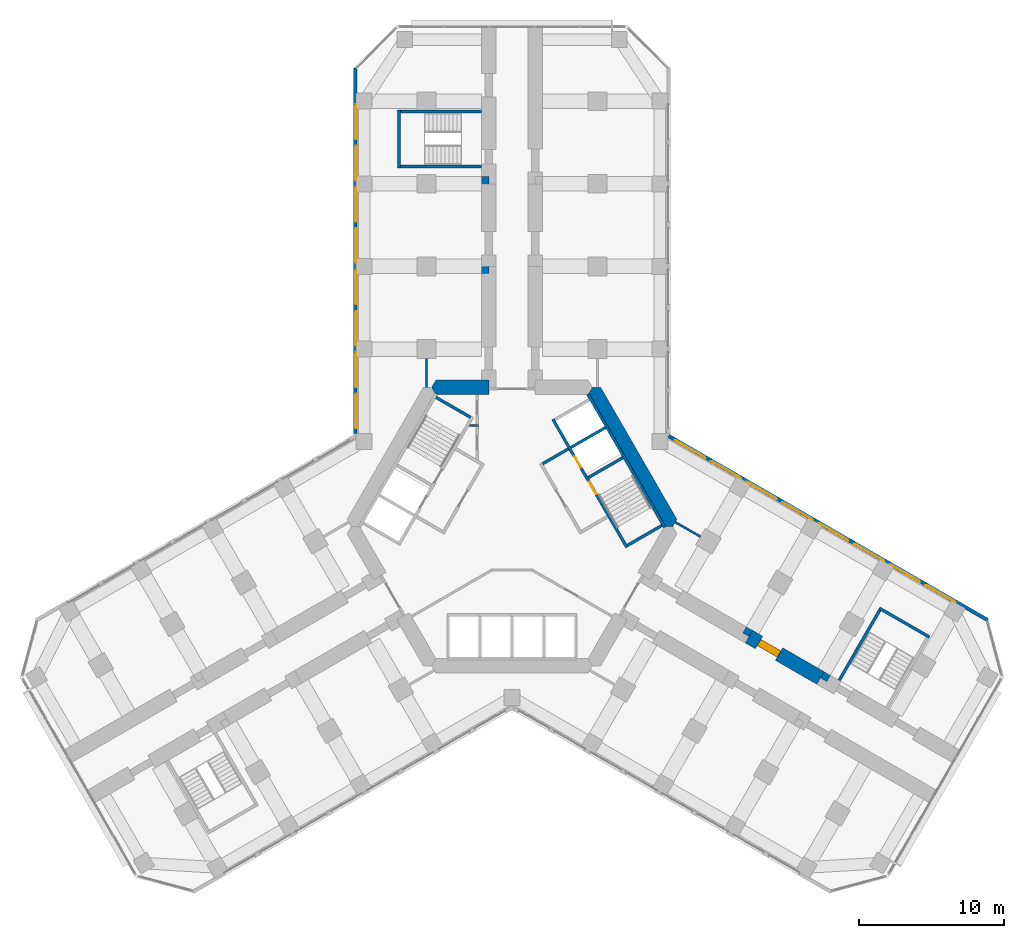
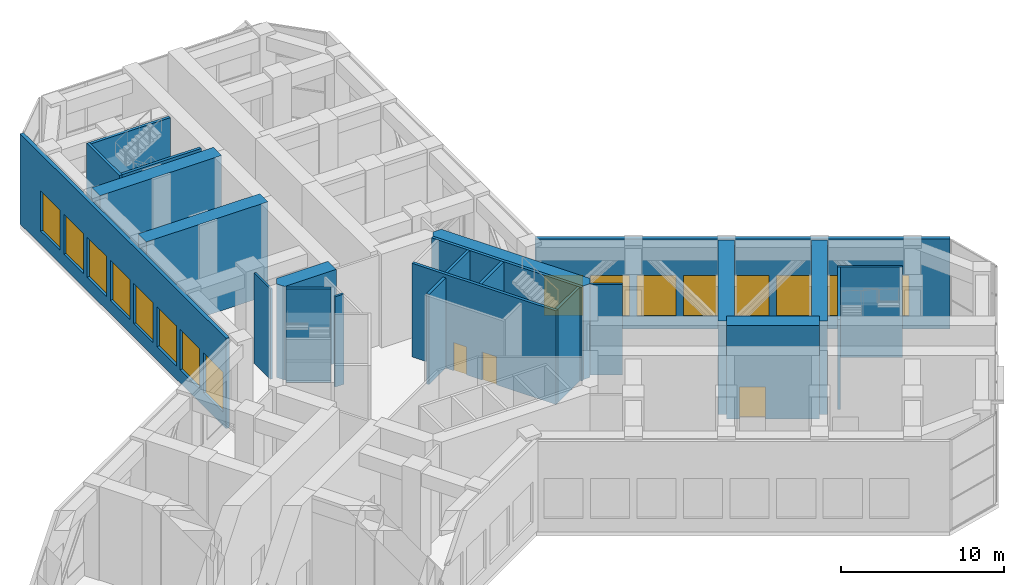
# One storey, part 13 of 17: 24 walls, 16 windows, 3 doors, 19 openings.
"""IFC4 building model written with IfcOpenShell, lengths in metres."""

from ifc_helpers import new_model, si_unit, direction, frame, frame_2d, origin, place, context, subcontext, project, spatial, polyline, rectangle, outline, extrude, material, layer, layer_set, type_object, element, fill, save


model = new_model("IFC4")

# Units and contexts
model_context = context("Model", 3, precision=1e-05, world=origin(), true_north=direction((0.0, 1.0)))
body_context = subcontext(model_context, "Body", "Model", "MODEL_VIEW")
ifc_project = project(units=[si_unit("LENGTHUNIT", "METRE"), si_unit("AREAUNIT", "SQUARE_METRE"), si_unit("VOLUMEUNIT", "CUBIC_METRE"), si_unit("PLANEANGLEUNIT", "RADIAN"), si_unit("MASSUNIT", "GRAM", prefix="KILO")], contexts=[model_context])

# Site, building, storey
site_placement = place(None, origin())
site = spatial("IfcSite", under=ifc_project, at=site_placement, CompositionType="ELEMENT")
building_placement = place(site_placement, origin())
building = spatial("IfcBuilding", under=site, at=building_placement, Name="Kosmar Iwan School Tower", CompositionType="ELEMENT")
storey_placement = place(building_placement, frame((0.0, 0.0, 32.39990234375)))
storey = spatial("IfcBuildingStorey", under=building, at=storey_placement, Name="L07", CompositionType="ELEMENT", Elevation=32.39990234375)

# Walls
ifc_material_1 = material(Name="Gypsum board on steel studs, fire-rated", Category="steel")
ifc_layer_1 = layer(ifc_material_1, 0.14990234375)
ifc_layer_set_1 = layer_set([ifc_layer_1], Name="Core room partition 150")
wall_type_1 = type_object("IfcWallType", Name="Core room partition 150", PredefinedType="PARTITIONING", material=ifc_layer_set_1)
wall_1_placement = place(storey_placement, frame((-2.324951171875, 6.985107421875, 0.0), z_axis=(0.0, 0.0, 1.0), x_axis=(-1.0, 0.0, 0.0)))
element("IfcWall", 1, at=wall_1_placement, inside=storey, type_object=wall_type_1, Name="Core room partition L07-CW2", PredefinedType="PARTITIONING", context=body_context, shape_type="SweptSolid", body=[
    extrude(rectangle(XDim=0.623779296875, YDim=0.14990234375, at=frame_2d((0.31201171875, 0.0))), origin(), (0.0, 0.0, 1.0), 6.75),
])
ifc_material_2 = material(Name="Concrete C50/60", Category="concrete")
ifc_layer_2 = layer(ifc_material_2, 1.0)
ifc_layer_set_2 = layer_set([ifc_layer_2], Name="Core wall 1000")
wall_type_2 = type_object("IfcWallType", Name="Core wall 1000", PredefinedType="SHEAR", material=ifc_layer_set_2)
wall_2_placement = place(storey_placement, origin())
element("IfcWall", 2, at=wall_2_placement, inside=storey, type_object=wall_type_2, Name="Core wall F030", PredefinedType="SHEAR", context=body_context, shape_type="SweptSolid", body=[
    extrude(outline(polyline([(10.5078125, 0.0), (11.085205078125, 0.0), (11.373779296875, 0.5), (6.119873046875, 9.60009765625), (5.54248046875, 9.60009765625), (5.25390625, 9.10009765625), (10.5078125, 0.0)])), origin(), (0.0, 0.0, 1.0), 7.0),
])
wall_3_placement = place(storey_placement, origin())
element("IfcWall", 3, at=wall_3_placement, inside=storey, type_object=wall_type_2, Name="Core wall F090b", PredefinedType="SHEAR", context=body_context, shape_type="SweptSolid", body=[
    extrude(outline(polyline([(-5.25390625, 9.10009765625), (-1.60009765625, 9.10009765625), (-1.60009765625, 10.10009765625), (-5.25390625, 10.10009765625), (-5.54248046875, 9.60009765625), (-5.25390625, 9.10009765625)])), origin(), (0.0, 0.0, 1.0), 7.0),
])

# Wall, opening, door
ifc_material_3 = material(Name="Concrete C50/60", Category="concrete")
ifc_layer_3 = layer(ifc_material_3, 1.0)
ifc_layer_set_3 = layer_set([ifc_layer_3], Name="Corridor buttress wall 1000")
wall_type_3 = type_object("IfcWallType", Name="Corridor buttress wall 1000", PredefinedType="SHEAR", material=ifc_layer_set_3)
wall_4_placement = place(storey_placement, frame((16.34521484375, -7.58935546875, 0.0), z_axis=(0.0, 0.0, 1.0), x_axis=(0.866015111908, -0.50001782563, 0.0)))
wall_4 = element("IfcWall", 4, at=wall_4_placement, inside=storey, type_object=wall_type_3, Name="Corridor wall CL bay 2", PredefinedType="SHEAR", context=body_context, shape_type="SweptSolid", body=[
    extrude(rectangle(XDim=5.699951171875, YDim=1.0, at=frame_2d((2.85009765625, 0.0))), origin(), (0.0, 0.0, 1.0), 7.0),
])
opening_1_placement = place(wall_4_placement, frame((0.800048828125, 0.0, 0.0)))
opening_1 = element("IfcOpeningElement", 5, at=opening_1_placement, cuts=wall_4, Name="Opening D5", PredefinedType="OPENING", context=body_context, shape_type="SweptSolid", body=[
    extrude(rectangle(XDim=1.60009765625, YDim=2.39990234375, at=frame_2d((0.800048828125, 1.199951171875))), frame((0.0, 0.511962890625, 0.0), z_axis=(0.0, -1.0, 0.0), x_axis=(1.0, 0.0, 0.0)), (0.0, 0.0, 1.0), 1.02392578125),
])
ifc_material_4 = material(Name="Steel fire door", Category="steel")
door_type_1 = type_object("IfcDoorType", Name="Plant room door pair 1600x2400", OperationType="DOUBLE_DOOR_SINGLE_SWING", PredefinedType="DOOR", material=ifc_material_4)
door_1_placement = place(opening_1_placement, origin())
door_1 = element("IfcDoor", 6, at=door_1_placement, inside=storey, type_object=door_type_1, Name="Heat exchanger room door L07-CL2", OperationType="DOUBLE_DOOR_SINGLE_SWING", OverallHeight=2.39990234375, OverallWidth=1.60009765625, PredefinedType="DOOR", context=body_context, shape_type="SweptSolid", body=[
    extrude(rectangle(XDim=1.60009765625, YDim=2.39990234375, at=frame_2d((0.800048828125, 1.199951171875))), frame((0.0, 0.25, 0.0), z_axis=(0.0, -1.0, 0.0), x_axis=(1.0, 0.0, 0.0)), (0.0, 0.0, 1.0), 0.5),
])
fill(opening_1, door_1)

# Walls
ifc_material_5 = material(Name="Concrete C35/45", Category="concrete")
ifc_layer_4 = layer(ifc_material_5, 0.199951171875)
ifc_layer_set_4 = layer_set([ifc_layer_4], Name="Escape stair wall 200")
wall_type_4 = type_object("IfcWallType", Name="Escape stair wall 200", PredefinedType="SHEAR", material=ifc_layer_set_4)
for number, where, z_axis, x_axis, name in (
    (7, (-2.10009765625, 24.85009765625, 0.0), (0.0, 0.0, 1.0), (-1.0, 0.0, 0.0), "Stair WS1 wall"),
    (8, (-2.10009765625, 28.64990234375, 0.0), (0.0, 0.0, 1.0), (-1.0, 0.0, 0.0), "Stair WS1 wall"),
):
    element("IfcWall", number, at=place(storey_placement, frame(where, z_axis=z_axis, x_axis=x_axis)), inside=storey, type_object=wall_type_4, Name=name, PredefinedType="SHEAR", context=body_context, shape_type="SweptSolid", body=[
        extrude(rectangle(XDim=5.7998046875, YDim=0.199951171875, at=frame_2d((2.89990234375, 0.0))), origin(), (0.0, 0.0, 1.0), 6.72998046875),
    ])
wall_5_placement = place(storey_placement, frame((-7.800048828125, 24.75, 0.0), z_axis=(0.0, 0.0, 1.0), x_axis=(0.0, 1.0, 0.0)))
element("IfcWall", 9, at=wall_5_placement, inside=storey, type_object=wall_type_4, Name="Stair WS1 wall", PredefinedType="SHEAR", context=body_context, shape_type="SweptSolid", body=[
    extrude(rectangle(XDim=4.0, YDim=0.199951171875, at=frame_2d((2.0, 0.0))), origin(), (0.0, 0.0, 1.0), 6.72998046875),
])
wall_6_placement = place(storey_placement, frame((22.57080078125, -10.6064453125, 0.0), z_axis=(0.0, 0.0, 1.0), x_axis=(0.499987231761, 0.866032775405, 0.0)))
element("IfcWall", 10, at=wall_6_placement, inside=storey, type_object=wall_type_4, Name="Stair WS3 wall", PredefinedType="SHEAR", context=body_context, shape_type="SweptSolid", body=[
    extrude(rectangle(XDim=5.800048828125, YDim=0.199951171875, at=frame_2d((2.89990234375, 0.0))), origin(), (0.0, 0.0, 1.0), 6.72998046875),
])
wall_7_placement = place(storey_placement, frame((25.334228515625, -5.6201171875, 0.0), z_axis=(0.0, 0.0, 1.0), x_axis=(0.866026010844, -0.49999894854, 0.0)))
element("IfcWall", 11, at=wall_7_placement, inside=storey, type_object=wall_type_4, Name="Stair WS3 wall", PredefinedType="SHEAR", context=body_context, shape_type="SweptSolid", body=[
    extrude(rectangle(XDim=4.0, YDim=0.199951171875, at=frame_2d((2.0, 0.0))), origin(), (0.0, 0.0, 1.0), 6.72998046875),
])

# Wall, openings, windows
ifc_material_6 = material(Name="Black aluminium rainscreen on insulated framing", Category="aluminium")
ifc_layer_5 = layer(ifc_material_6, 0.25)
ifc_layer_set_5 = layer_set([ifc_layer_5], Name="External wall rainscreen 250")
wall_type_5 = type_object("IfcWallType", Name="External wall rainscreen 250", PredefinedType="SOLIDWALL", material=ifc_layer_set_5)
wall_8_placement = place(storey_placement, frame((10.8125, 6.257080078125, 0.0), z_axis=(0.0, 0.0, 1.0), x_axis=(0.86602648281, -0.499998131069, 0.0)))
wall_8 = element("IfcWall", 12, at=wall_8_placement, inside=storey, type_object=wall_type_5, Name="External wall CL L07", PredefinedType="SOLIDWALL", context=body_context, shape_type="SweptSolid", body=[
    extrude(rectangle(XDim=25.39990234375, YDim=0.25, at=frame_2d((12.699951171875, 0.0))), origin(), (0.0, 0.0, 1.0), 6.75),
])
opening_2_placement = place(wall_8_placement, frame((0.53955078125, 0.0, 1.0)))
opening_2 = element("IfcOpeningElement", 13, at=opening_2_placement, cuts=wall_8, Name="Opening LV1", PredefinedType="OPENING", context=body_context, shape_type="SweptSolid", body=[
    extrude(rectangle(XDim=2.39990234375, YDim=3.0, at=frame_2d((1.199951171875, 1.5))), frame((0.0, 0.136962890625, 0.0), z_axis=(0.0, -1.0, 0.0), x_axis=(1.0, 0.0, 0.0)), (0.0, 0.0, 1.0), 0.27392578125),
])
opening_3_placement = place(wall_8_placement, frame((3.3896484375, 0.0, 1.0)))
opening_3 = element("IfcOpeningElement", 14, at=opening_3_placement, cuts=wall_8, Name="Opening LV1", PredefinedType="OPENING", context=body_context, shape_type="SweptSolid", body=[
    extrude(rectangle(XDim=2.39990234375, YDim=3.0, at=frame_2d((1.199951171875, 1.5))), frame((0.0, 0.136962890625, 0.0), z_axis=(0.0, -1.0, 0.0), x_axis=(1.0, 0.0, 0.0)), (0.0, 0.0, 1.0), 0.27392578125),
])
opening_4_placement = place(wall_8_placement, frame((6.23974609375, 0.0, 1.0)))
opening_4 = element("IfcOpeningElement", 15, at=opening_4_placement, cuts=wall_8, Name="Opening LV1", PredefinedType="OPENING", context=body_context, shape_type="SweptSolid", body=[
    extrude(rectangle(XDim=2.39990234375, YDim=3.0, at=frame_2d((1.199951171875, 1.5))), frame((0.0, 0.136962890625, 0.0), z_axis=(0.0, -1.0, 0.0), x_axis=(1.0, 0.0, 0.0)), (0.0, 0.0, 1.0), 0.27392578125),
])
opening_5_placement = place(wall_8_placement, frame((9.089599609375, 0.0, 1.0)))
opening_5 = element("IfcOpeningElement", 16, at=opening_5_placement, cuts=wall_8, Name="Opening LV1", PredefinedType="OPENING", context=body_context, shape_type="SweptSolid", body=[
    extrude(rectangle(XDim=2.39990234375, YDim=3.0, at=frame_2d((1.199951171875, 1.5))), frame((0.0, 0.136962890625, 0.0), z_axis=(0.0, -1.0, 0.0), x_axis=(1.0, 0.0, 0.0)), (0.0, 0.0, 1.0), 0.27392578125),
])
opening_6_placement = place(wall_8_placement, frame((11.939697265625, 0.0, 1.0)))
opening_6 = element("IfcOpeningElement", 17, at=opening_6_placement, cuts=wall_8, Name="Opening LV1", PredefinedType="OPENING", context=body_context, shape_type="SweptSolid", body=[
    extrude(rectangle(XDim=2.39990234375, YDim=3.0, at=frame_2d((1.199951171875, 1.5))), frame((0.0, 0.136962890625, 0.0), z_axis=(0.0, -1.0, 0.0), x_axis=(1.0, 0.0, 0.0)), (0.0, 0.0, 1.0), 0.27392578125),
])
opening_7_placement = place(wall_8_placement, frame((14.78955078125, 0.0, 1.0)))
opening_7 = element("IfcOpeningElement", 18, at=opening_7_placement, cuts=wall_8, Name="Opening LV1", PredefinedType="OPENING", context=body_context, shape_type="SweptSolid", body=[
    extrude(rectangle(XDim=2.39990234375, YDim=3.0, at=frame_2d((1.199951171875, 1.5))), frame((0.0, 0.136962890625, 0.0), z_axis=(0.0, -1.0, 0.0), x_axis=(1.0, 0.0, 0.0)), (0.0, 0.0, 1.0), 0.27392578125),
])
opening_8_placement = place(wall_8_placement, frame((17.6396484375, 0.0, 1.0)))
opening_8 = element("IfcOpeningElement", 19, at=opening_8_placement, cuts=wall_8, Name="Opening LV1", PredefinedType="OPENING", context=body_context, shape_type="SweptSolid", body=[
    extrude(rectangle(XDim=2.39990234375, YDim=3.0, at=frame_2d((1.199951171875, 1.5))), frame((0.0, 0.136962890625, 0.0), z_axis=(0.0, -1.0, 0.0), x_axis=(1.0, 0.0, 0.0)), (0.0, 0.0, 1.0), 0.27392578125),
])
opening_9_placement = place(wall_8_placement, frame((20.48974609375, 0.0, 1.0)))
opening_9 = element("IfcOpeningElement", 20, at=opening_9_placement, cuts=wall_8, Name="Opening LV1", PredefinedType="OPENING", context=body_context, shape_type="SweptSolid", body=[
    extrude(rectangle(XDim=2.39990234375, YDim=3.0, at=frame_2d((1.199951171875, 1.5))), frame((0.0, 0.136962890625, 0.0), z_axis=(0.0, -1.0, 0.0), x_axis=(1.0, 0.0, 0.0)), (0.0, 0.0, 1.0), 0.27392578125),
])
ifc_material_7 = material(Name="Black aluminium louvre", Category="aluminium")
window_type = type_object("IfcWindowType", Name="Plant louvre 2400x3000", PartitioningType="SINGLE_PANEL", PredefinedType="USERDEFINED", material=ifc_material_7)
window_1_placement = place(opening_2_placement, origin())
window_1 = element("IfcWindow", 21, at=window_1_placement, inside=storey, type_object=window_type, Name="Window CL L07 -1", ObjectType="LOUVRE", OverallHeight=3.0, OverallWidth=2.39990234375, PartitioningType="SINGLE_PANEL", PredefinedType="USERDEFINED", context=body_context, shape_type="SweptSolid", body=[
    extrude(rectangle(XDim=2.39990234375, YDim=3.0, at=frame_2d((1.199951171875, 1.5))), frame((0.0, -0.050048828125, 0.0), z_axis=(0.0, -1.0, 0.0), x_axis=(1.0, 0.0, 0.0)), (0.0, 0.0, 1.0), 0.02001953125),
])
fill(opening_2, window_1)
window_2_placement = place(opening_3_placement, origin())
window_2 = element("IfcWindow", 22, at=window_2_placement, inside=storey, type_object=window_type, Name="Window CL L07 0", ObjectType="LOUVRE", OverallHeight=3.0, OverallWidth=2.39990234375, PartitioningType="SINGLE_PANEL", PredefinedType="USERDEFINED", context=body_context, shape_type="SweptSolid", body=[
    extrude(rectangle(XDim=2.39990234375, YDim=3.0, at=frame_2d((1.199951171875, 1.5))), frame((0.0, -0.050048828125, 0.0), z_axis=(0.0, -1.0, 0.0), x_axis=(1.0, 0.0, 0.0)), (0.0, 0.0, 1.0), 0.02001953125),
])
fill(opening_3, window_2)
window_3_placement = place(opening_4_placement, origin())
window_3 = element("IfcWindow", 23, at=window_3_placement, inside=storey, type_object=window_type, Name="Window CL L07 1", ObjectType="LOUVRE", OverallHeight=3.0, OverallWidth=2.39990234375, PartitioningType="SINGLE_PANEL", PredefinedType="USERDEFINED", context=body_context, shape_type="SweptSolid", body=[
    extrude(rectangle(XDim=2.39990234375, YDim=3.0, at=frame_2d((1.199951171875, 1.5))), frame((0.0, -0.050048828125, 0.0), z_axis=(0.0, -1.0, 0.0), x_axis=(1.0, 0.0, 0.0)), (0.0, 0.0, 1.0), 0.02001953125),
])
fill(opening_4, window_3)
window_4_placement = place(opening_5_placement, origin())
window_4 = element("IfcWindow", 24, at=window_4_placement, inside=storey, type_object=window_type, Name="Window CL L07 2", ObjectType="LOUVRE", OverallHeight=3.0, OverallWidth=2.39990234375, PartitioningType="SINGLE_PANEL", PredefinedType="USERDEFINED", context=body_context, shape_type="SweptSolid", body=[
    extrude(rectangle(XDim=2.39990234375, YDim=3.0, at=frame_2d((1.199951171875, 1.5))), frame((0.0, -0.050048828125, 0.0), z_axis=(0.0, -1.0, 0.0), x_axis=(1.0, 0.0, 0.0)), (0.0, 0.0, 1.0), 0.02001953125),
])
fill(opening_5, window_4)
window_5_placement = place(opening_6_placement, origin())
window_5 = element("IfcWindow", 25, at=window_5_placement, inside=storey, type_object=window_type, Name="Window CL L07 3", ObjectType="LOUVRE", OverallHeight=3.0, OverallWidth=2.39990234375, PartitioningType="SINGLE_PANEL", PredefinedType="USERDEFINED", context=body_context, shape_type="SweptSolid", body=[
    extrude(rectangle(XDim=2.39990234375, YDim=3.0, at=frame_2d((1.199951171875, 1.5))), frame((0.0, -0.050048828125, 0.0), z_axis=(0.0, -1.0, 0.0), x_axis=(1.0, 0.0, 0.0)), (0.0, 0.0, 1.0), 0.02001953125),
])
fill(opening_6, window_5)
window_6_placement = place(opening_7_placement, origin())
window_6 = element("IfcWindow", 26, at=window_6_placement, inside=storey, type_object=window_type, Name="Window CL L07 4", ObjectType="LOUVRE", OverallHeight=3.0, OverallWidth=2.39990234375, PartitioningType="SINGLE_PANEL", PredefinedType="USERDEFINED", context=body_context, shape_type="SweptSolid", body=[
    extrude(rectangle(XDim=2.39990234375, YDim=3.0, at=frame_2d((1.199951171875, 1.5))), frame((0.0, -0.050048828125, 0.0), z_axis=(0.0, -1.0, 0.0), x_axis=(1.0, 0.0, 0.0)), (0.0, 0.0, 1.0), 0.02001953125),
])
fill(opening_7, window_6)
window_7_placement = place(opening_8_placement, origin())
window_7 = element("IfcWindow", 27, at=window_7_placement, inside=storey, type_object=window_type, Name="Window CL L07 5", ObjectType="LOUVRE", OverallHeight=3.0, OverallWidth=2.39990234375, PartitioningType="SINGLE_PANEL", PredefinedType="USERDEFINED", context=body_context, shape_type="SweptSolid", body=[
    extrude(rectangle(XDim=2.39990234375, YDim=3.0, at=frame_2d((1.199951171875, 1.5))), frame((0.0, -0.050048828125, 0.0), z_axis=(0.0, -1.0, 0.0), x_axis=(1.0, 0.0, 0.0)), (0.0, 0.0, 1.0), 0.02001953125),
])
fill(opening_8, window_7)
window_8_placement = place(opening_9_placement, origin())
window_8 = element("IfcWindow", 28, at=window_8_placement, inside=storey, type_object=window_type, Name="Window CL L07 6", ObjectType="LOUVRE", OverallHeight=3.0, OverallWidth=2.39990234375, PartitioningType="SINGLE_PANEL", PredefinedType="USERDEFINED", context=body_context, shape_type="SweptSolid", body=[
    extrude(rectangle(XDim=2.39990234375, YDim=3.0, at=frame_2d((1.199951171875, 1.5))), frame((0.0, -0.050048828125, 0.0), z_axis=(0.0, -1.0, 0.0), x_axis=(1.0, 0.0, 0.0)), (0.0, 0.0, 1.0), 0.02001953125),
])
fill(opening_9, window_8)

wall_9_placement = place(storey_placement, frame((-10.824951171875, 6.408935546875, 0.0), z_axis=(0.0, 0.0, 1.0), x_axis=(0.0, 1.0, 0.0)))
wall_9 = element("IfcWall", 29, at=wall_9_placement, inside=storey, type_object=wall_type_5, Name="External wall AL L07", PredefinedType="SOLIDWALL", context=body_context, shape_type="SweptSolid", body=[
    extrude(rectangle(XDim=25.226318359375, YDim=0.25, at=frame_2d((12.61328125, 0.0))), origin(), (0.0, 0.0, 1.0), 6.75),
])
opening_10_placement = place(wall_9_placement, frame((0.365966796875, 0.0, 1.0)))
opening_10 = element("IfcOpeningElement", 30, at=opening_10_placement, cuts=wall_9, Name="Opening LV1", PredefinedType="OPENING", context=body_context, shape_type="SweptSolid", body=[
    extrude(rectangle(XDim=2.39990234375, YDim=3.0, at=frame_2d((1.199951171875, 1.5))), frame((0.0, 0.136962890625, 0.0), z_axis=(0.0, -1.0, 0.0), x_axis=(1.0, 0.0, 0.0)), (0.0, 0.0, 1.0), 0.27392578125),
])
opening_11_placement = place(wall_9_placement, frame((3.216064453125, 0.0, 1.0)))
opening_11 = element("IfcOpeningElement", 31, at=opening_11_placement, cuts=wall_9, Name="Opening LV1", PredefinedType="OPENING", context=body_context, shape_type="SweptSolid", body=[
    extrude(rectangle(XDim=2.39990234375, YDim=3.0, at=frame_2d((1.199951171875, 1.5))), frame((0.0, 0.136962890625, 0.0), z_axis=(0.0, -1.0, 0.0), x_axis=(1.0, 0.0, 0.0)), (0.0, 0.0, 1.0), 0.27392578125),
])
opening_12_placement = place(wall_9_placement, frame((6.06591796875, 0.0, 1.0)))
opening_12 = element("IfcOpeningElement", 32, at=opening_12_placement, cuts=wall_9, Name="Opening LV1", PredefinedType="OPENING", context=body_context, shape_type="SweptSolid", body=[
    extrude(rectangle(XDim=2.39990234375, YDim=3.0, at=frame_2d((1.199951171875, 1.5))), frame((0.0, 0.136962890625, 0.0), z_axis=(0.0, -1.0, 0.0), x_axis=(1.0, 0.0, 0.0)), (0.0, 0.0, 1.0), 0.27392578125),
])
opening_13_placement = place(wall_9_placement, frame((8.916015625, 0.0, 1.0)))
opening_13 = element("IfcOpeningElement", 33, at=opening_13_placement, cuts=wall_9, Name="Opening LV1", PredefinedType="OPENING", context=body_context, shape_type="SweptSolid", body=[
    extrude(rectangle(XDim=2.39990234375, YDim=3.0, at=frame_2d((1.199951171875, 1.5))), frame((0.0, 0.136962890625, 0.0), z_axis=(0.0, -1.0, 0.0), x_axis=(1.0, 0.0, 0.0)), (0.0, 0.0, 1.0), 0.27392578125),
])
opening_14_placement = place(wall_9_placement, frame((11.76611328125, 0.0, 1.0)))
opening_14 = element("IfcOpeningElement", 34, at=opening_14_placement, cuts=wall_9, Name="Opening LV1", PredefinedType="OPENING", context=body_context, shape_type="SweptSolid", body=[
    extrude(rectangle(XDim=2.39990234375, YDim=3.0, at=frame_2d((1.199951171875, 1.5))), frame((0.0, 0.136962890625, 0.0), z_axis=(0.0, -1.0, 0.0), x_axis=(1.0, 0.0, 0.0)), (0.0, 0.0, 1.0), 0.27392578125),
])
opening_15_placement = place(wall_9_placement, frame((14.615966796875, 0.0, 1.0)))
opening_15 = element("IfcOpeningElement", 35, at=opening_15_placement, cuts=wall_9, Name="Opening LV1", PredefinedType="OPENING", context=body_context, shape_type="SweptSolid", body=[
    extrude(rectangle(XDim=2.39990234375, YDim=3.0, at=frame_2d((1.199951171875, 1.5))), frame((0.0, 0.136962890625, 0.0), z_axis=(0.0, -1.0, 0.0), x_axis=(1.0, 0.0, 0.0)), (0.0, 0.0, 1.0), 0.27392578125),
])
opening_16_placement = place(wall_9_placement, frame((17.466064453125, 0.0, 1.0)))
opening_16 = element("IfcOpeningElement", 36, at=opening_16_placement, cuts=wall_9, Name="Opening LV1", PredefinedType="OPENING", context=body_context, shape_type="SweptSolid", body=[
    extrude(rectangle(XDim=2.39990234375, YDim=3.0, at=frame_2d((1.199951171875, 1.5))), frame((0.0, 0.136962890625, 0.0), z_axis=(0.0, -1.0, 0.0), x_axis=(1.0, 0.0, 0.0)), (0.0, 0.0, 1.0), 0.27392578125),
])
opening_17_placement = place(wall_9_placement, frame((20.31591796875, 0.0, 1.0)))
opening_17 = element("IfcOpeningElement", 37, at=opening_17_placement, cuts=wall_9, Name="Opening LV1", PredefinedType="OPENING", context=body_context, shape_type="SweptSolid", body=[
    extrude(rectangle(XDim=2.39990234375, YDim=3.0, at=frame_2d((1.199951171875, 1.5))), frame((0.0, 0.136962890625, 0.0), z_axis=(0.0, -1.0, 0.0), x_axis=(1.0, 0.0, 0.0)), (0.0, 0.0, 1.0), 0.27392578125),
])
window_9_placement = place(opening_10_placement, origin())
window_9 = element("IfcWindow", 38, at=window_9_placement, inside=storey, type_object=window_type, Name="Window AL L07 -1", ObjectType="LOUVRE", OverallHeight=3.0, OverallWidth=2.39990234375, PartitioningType="SINGLE_PANEL", PredefinedType="USERDEFINED", context=body_context, shape_type="SweptSolid", body=[
    extrude(rectangle(XDim=2.39990234375, YDim=3.0, at=frame_2d((1.199951171875, 1.5))), frame((0.0, -0.050048828125, 0.0), z_axis=(0.0, -1.0, 0.0), x_axis=(1.0, 0.0, 0.0)), (0.0, 0.0, 1.0), 0.02001953125),
])
fill(opening_10, window_9)
window_10_placement = place(opening_11_placement, origin())
window_10 = element("IfcWindow", 39, at=window_10_placement, inside=storey, type_object=window_type, Name="Window AL L07 0", ObjectType="LOUVRE", OverallHeight=3.0, OverallWidth=2.39990234375, PartitioningType="SINGLE_PANEL", PredefinedType="USERDEFINED", context=body_context, shape_type="SweptSolid", body=[
    extrude(rectangle(XDim=2.39990234375, YDim=3.0, at=frame_2d((1.199951171875, 1.5))), frame((0.0, -0.050048828125, 0.0), z_axis=(0.0, -1.0, 0.0), x_axis=(1.0, 0.0, 0.0)), (0.0, 0.0, 1.0), 0.02001953125),
])
fill(opening_11, window_10)
window_11_placement = place(opening_12_placement, origin())
window_11 = element("IfcWindow", 40, at=window_11_placement, inside=storey, type_object=window_type, Name="Window AL L07 1", ObjectType="LOUVRE", OverallHeight=3.0, OverallWidth=2.39990234375, PartitioningType="SINGLE_PANEL", PredefinedType="USERDEFINED", context=body_context, shape_type="SweptSolid", body=[
    extrude(rectangle(XDim=2.39990234375, YDim=3.0, at=frame_2d((1.199951171875, 1.5))), frame((0.0, -0.050048828125, 0.0), z_axis=(0.0, -1.0, 0.0), x_axis=(1.0, 0.0, 0.0)), (0.0, 0.0, 1.0), 0.02001953125),
])
fill(opening_12, window_11)
window_12_placement = place(opening_13_placement, origin())
window_12 = element("IfcWindow", 41, at=window_12_placement, inside=storey, type_object=window_type, Name="Window AL L07 2", ObjectType="LOUVRE", OverallHeight=3.0, OverallWidth=2.39990234375, PartitioningType="SINGLE_PANEL", PredefinedType="USERDEFINED", context=body_context, shape_type="SweptSolid", body=[
    extrude(rectangle(XDim=2.39990234375, YDim=3.0, at=frame_2d((1.199951171875, 1.5))), frame((0.0, -0.050048828125, 0.0), z_axis=(0.0, -1.0, 0.0), x_axis=(1.0, 0.0, 0.0)), (0.0, 0.0, 1.0), 0.02001953125),
])
fill(opening_13, window_12)
window_13_placement = place(opening_14_placement, origin())
window_13 = element("IfcWindow", 42, at=window_13_placement, inside=storey, type_object=window_type, Name="Window AL L07 3", ObjectType="LOUVRE", OverallHeight=3.0, OverallWidth=2.39990234375, PartitioningType="SINGLE_PANEL", PredefinedType="USERDEFINED", context=body_context, shape_type="SweptSolid", body=[
    extrude(rectangle(XDim=2.39990234375, YDim=3.0, at=frame_2d((1.199951171875, 1.5))), frame((0.0, -0.050048828125, 0.0), z_axis=(0.0, -1.0, 0.0), x_axis=(1.0, 0.0, 0.0)), (0.0, 0.0, 1.0), 0.02001953125),
])
fill(opening_14, window_13)
window_14_placement = place(opening_15_placement, origin())
window_14 = element("IfcWindow", 43, at=window_14_placement, inside=storey, type_object=window_type, Name="Window AL L07 4", ObjectType="LOUVRE", OverallHeight=3.0, OverallWidth=2.39990234375, PartitioningType="SINGLE_PANEL", PredefinedType="USERDEFINED", context=body_context, shape_type="SweptSolid", body=[
    extrude(rectangle(XDim=2.39990234375, YDim=3.0, at=frame_2d((1.199951171875, 1.5))), frame((0.0, -0.050048828125, 0.0), z_axis=(0.0, -1.0, 0.0), x_axis=(1.0, 0.0, 0.0)), (0.0, 0.0, 1.0), 0.02001953125),
])
fill(opening_15, window_14)
window_15_placement = place(opening_16_placement, origin())
window_15 = element("IfcWindow", 44, at=window_15_placement, inside=storey, type_object=window_type, Name="Window AL L07 5", ObjectType="LOUVRE", OverallHeight=3.0, OverallWidth=2.39990234375, PartitioningType="SINGLE_PANEL", PredefinedType="USERDEFINED", context=body_context, shape_type="SweptSolid", body=[
    extrude(rectangle(XDim=2.39990234375, YDim=3.0, at=frame_2d((1.199951171875, 1.5))), frame((0.0, -0.050048828125, 0.0), z_axis=(0.0, -1.0, 0.0), x_axis=(1.0, 0.0, 0.0)), (0.0, 0.0, 1.0), 0.02001953125),
])
fill(opening_16, window_15)
window_16_placement = place(opening_17_placement, origin())
window_16 = element("IfcWindow", 45, at=window_16_placement, inside=storey, type_object=window_type, Name="Window AL L07 6", ObjectType="LOUVRE", OverallHeight=3.0, OverallWidth=2.39990234375, PartitioningType="SINGLE_PANEL", PredefinedType="USERDEFINED", context=body_context, shape_type="SweptSolid", body=[
    extrude(rectangle(XDim=2.39990234375, YDim=3.0, at=frame_2d((1.199951171875, 1.5))), frame((0.0, -0.050048828125, 0.0), z_axis=(0.0, -1.0, 0.0), x_axis=(1.0, 0.0, 0.0)), (0.0, 0.0, 1.0), 0.02001953125),
])
fill(opening_17, window_16)

# Wall
ifc_material_8 = material(Name="Concrete block masonry", Category="masonry")
ifc_layer_6 = layer(ifc_material_8, 0.199951171875)
ifc_layer_set_6 = layer_set([ifc_layer_6], Name="Fire lobby wall 200")
wall_type_6 = type_object("IfcWallType", Name="Fire lobby wall 200", PredefinedType="PARTITIONING", material=ifc_layer_set_6)
wall_10_placement = place(storey_placement, frame((2.114013671875, 4.33837890625, 0.0), z_axis=(0.0, 0.0, 1.0), x_axis=(0.866050731258, 0.499956128963, 0.0)))
element("IfcWall", 46, at=wall_10_placement, inside=storey, type_object=wall_type_6, Name="Firefighting lobby wall ST1", PredefinedType="PARTITIONING", context=body_context, shape_type="SweptSolid", body=[
    extrude(rectangle(XDim=2.050048828125, YDim=0.199951171875, at=frame_2d((1.02490234375, 0.0))), origin(), (0.0, 0.0, 1.0), 6.75),
])

# Wall, openings, doors
ifc_material_9 = material(Name="Concrete C50/60", Category="concrete")
ifc_layer_7 = layer(ifc_material_9, 0.199951171875)
ifc_layer_set_7 = layer_set([ifc_layer_7], Name="Lift shaft wall 200")
wall_type_7 = type_object("IfcWallType", Name="Lift shaft wall 200", PredefinedType="SHEAR", material=ifc_layer_set_7)
wall_11_placement = place(storey_placement, frame((7.926025390625, -1.42822265625, 0.0), z_axis=(0.0, 0.0, 1.0), x_axis=(-0.499998023675, 0.866026544813, 0.0)))
wall_11 = element("IfcWall", 47, at=wall_11_placement, inside=storey, type_object=wall_type_7, Name="Lift and stair front wall AC", PredefinedType="SHEAR", context=body_context, shape_type="SweptSolid", body=[
    extrude(rectangle(XDim=10.19970703125, YDim=0.199951171875, at=frame_2d((5.099853515625, 0.0))), origin(), (0.0, 0.0, 1.0), 7.0),
])
opening_18_placement = place(wall_11_placement, frame((6.35009765625, 0.0, 0.0)))
opening_18 = element("IfcOpeningElement", 48, at=opening_18_placement, cuts=wall_11, Name="Opening LD2", PredefinedType="OPENING", context=body_context, shape_type="SweptSolid", body=[
    extrude(rectangle(XDim=0.89990234375, YDim=2.10009765625, at=frame_2d((0.449951171875, 1.050048828125))), frame((0.0, 0.112060546875, 0.0), z_axis=(0.0, -1.0, 0.0), x_axis=(1.0, 0.0, 0.0)), (0.0, 0.0, 1.0), 0.223876953125),
])
opening_19_placement = place(wall_11_placement, frame((4.22998046875, 0.0, 0.0)))
opening_19 = element("IfcOpeningElement", 49, at=opening_19_placement, cuts=wall_11, Name="Opening D6", PredefinedType="OPENING", context=body_context, shape_type="SweptSolid", body=[
    extrude(rectangle(XDim=1.0, YDim=2.10009765625, at=frame_2d((0.5, 1.050048828125))), frame((0.0, 0.112060546875, 0.0), z_axis=(0.0, -1.0, 0.0), x_axis=(1.0, 0.0, 0.0)), (0.0, 0.0, 1.0), 0.223876953125),
])
ifc_material_10 = material(Name="Stainless steel sliding lift door", Category="steel")
door_type_2 = type_object("IfcDoorType", Name="Firefighting lift landing door 900x2100", OperationType="SLIDING_TO_LEFT", PredefinedType="DOOR", material=ifc_material_10)
door_2_placement = place(opening_18_placement, origin())
door_2 = element("IfcDoor", 50, at=door_2_placement, inside=storey, type_object=door_type_2, Name="Lift FF1 landing door L07", OperationType="SLIDING_TO_LEFT", OverallHeight=2.10009765625, OverallWidth=0.89990234375, PredefinedType="DOOR", context=body_context, shape_type="SweptSolid", body=[
    extrude(rectangle(XDim=0.89990234375, YDim=2.10009765625, at=frame_2d((0.449951171875, 1.050048828125))), frame((0.0, 0.02490234375, 0.0), z_axis=(0.0, -1.0, 0.0), x_axis=(1.0, 0.0, 0.0)), (0.0, 0.0, 1.0), 0.050048828125),
])
fill(opening_18, door_2)
ifc_material_11 = material(Name="Steel fire door", Category="steel")
door_type_3 = type_object("IfcDoorType", Name="Stair door 1000x2100", OperationType="SINGLE_SWING_LEFT", PredefinedType="DOOR", material=ifc_material_11)
door_3_placement = place(opening_19_placement, origin())
door_3 = element("IfcDoor", 51, at=door_3_placement, inside=storey, type_object=door_type_3, Name="Stair ST1 door L07", OperationType="SINGLE_SWING_LEFT", OverallHeight=2.10009765625, OverallWidth=1.0, PredefinedType="DOOR", context=body_context, shape_type="SweptSolid", body=[
    extrude(rectangle(XDim=1.0, YDim=2.10009765625, at=frame_2d((0.5, 1.050048828125))), frame((0.0, 0.02490234375, 0.0), z_axis=(0.0, -1.0, 0.0), x_axis=(1.0, 0.0, 0.0)), (0.0, 0.0, 1.0), 0.050048828125),
])
fill(opening_19, door_3)

# Walls
wall_12_placement = place(storey_placement, frame((10.53662109375, -0.050048828125, 0.0), z_axis=(0.0, 0.0, 1.0), x_axis=(-0.499994998079, 0.866028291626, 0.0)))
element("IfcWall", 52, at=wall_12_placement, inside=storey, type_object=wall_type_7, Name="Lift and stair back wall AC", PredefinedType="SHEAR", context=body_context, shape_type="SweptSolid", body=[
    extrude(rectangle(XDim=10.623046875, YDim=0.199951171875, at=frame_2d((5.3115234375, 0.0))), origin(), (0.0, 0.0, 1.0), 7.0),
])
wall_13_placement = place(storey_placement, frame((4.062744140625, 5.46337890625, 0.0), z_axis=(0.0, 0.0, 1.0), x_axis=(0.866027397988, 0.499996545922, 0.0)))
element("IfcWall", 53, at=wall_13_placement, inside=storey, type_object=wall_type_7, Name="Lift shaft wall AC 1", PredefinedType="SHEAR", context=body_context, shape_type="SweptSolid", body=[
    extrude(rectangle(XDim=2.75, YDim=0.199951171875, at=frame_2d((1.375, 0.0))), origin(), (0.0, 0.0, 1.0), 7.0),
])
ifc_material_12 = material(Name="Concrete C50/60", Category="concrete")
ifc_layer_8 = layer(ifc_material_12, 1.0)
ifc_layer_set_8 = layer_set([ifc_layer_8], Name="Outrigger wall 1000")
wall_type_8 = type_object("IfcWallType", Name="Outrigger wall 1000", PredefinedType="SHEAR", material=ifc_layer_set_8)
for number, where, z_axis, x_axis, name in (
    (54, (-1.60009765625, 17.949951171875, 0.0), (0.0, 0.0, 1.0), (-1.0, 0.0, 0.0), "Outrigger wall AL"),
    (55, (-1.60009765625, 23.64990234375, 0.0), (0.0, 0.0, 1.0), (-1.0, 0.0, 0.0), "Outrigger wall AL"),
    (56, (16.34521484375, -7.58935546875, 0.0), (0.0, 0.0, 1.0), (0.500007509209, 0.866021068297, 0.0), "Outrigger wall CL"),
):
    element("IfcWall", number, at=place(storey_placement, frame(where, z_axis=z_axis, x_axis=x_axis)), inside=storey, type_object=wall_type_8, Name=name, PredefinedType="SHEAR", context=body_context, shape_type="SweptSolid", body=[
        extrude(rectangle(XDim=8.599853515625, YDim=1.0, at=frame_2d((4.2998046875, 0.0))), origin(), (0.0, 0.0, 1.0), 7.0),
    ])
wall_14_placement = place(storey_placement, frame((21.281494140625, -10.439453125, 0.0), z_axis=(0.0, 0.0, 1.0), x_axis=(0.499995216735, 0.866028165386, 0.0)))
element("IfcWall", 57, at=wall_14_placement, inside=storey, type_object=wall_type_8, Name="Outrigger wall CL", PredefinedType="SHEAR", context=body_context, shape_type="SweptSolid", body=[
    extrude(rectangle(XDim=8.60009765625, YDim=1.0, at=frame_2d((4.300048828125, 0.0))), origin(), (0.0, 0.0, 1.0), 7.0),
])
ifc_material_13 = material(Name="Gypsum board on steel studs", Category="steel")
ifc_layer_9 = layer(ifc_material_13, 0.14990234375)
ifc_layer_set_9 = layer_set([ifc_layer_9], Name="School partition 150")
wall_type_9 = type_object("IfcWallType", Name="School partition 150", PredefinedType="PARTITIONING", material=ifc_layer_set_9)
for number, where, z_axis, x_axis, name in (
    (58, (-5.89990234375, 9.60009765625, 0.0), (0.0, 0.0, 1.0), (0.0, 1.0, 0.0), "Partition L07-AL-NB"),
    (59, (11.263916015625, 0.3095703125, 0.0), (0.0, 0.0, 1.0), (0.866010750942, -0.50002537861, 0.0), "Partition L07-CL-NB"),
):
    element("IfcWall", number, at=place(storey_placement, frame(where, z_axis=z_axis, x_axis=x_axis)), inside=storey, type_object=wall_type_9, Name=name, PredefinedType="PARTITIONING", context=body_context, shape_type="SweptSolid", body=[
        extrude(rectangle(XDim=2.0, YDim=0.14990234375, at=frame_2d((1.0, 0.0))), origin(), (0.0, 0.0, 1.0), 6.75),
    ])
ifc_material_14 = material(Name="Concrete C50/60", Category="concrete")
ifc_layer_10 = layer(ifc_material_14, 0.199951171875)
ifc_layer_set_10 = layer_set([ifc_layer_10], Name="Stair enclosure wall 200")
wall_type_10 = type_object("IfcWallType", Name="Stair enclosure wall 200", PredefinedType="SHEAR", material=ifc_layer_set_10)
for number, where, z_axis, x_axis, name in (
    (60, (-2.862548828125, 7.541748046875, 0.0), (0.0, 0.0, 1.0), (-0.866027397988, 0.499996545922, 0.0), "Stair ST2 wall"),
    (61, (7.962646484375, -1.291748046875, 0.0), (0.0, 0.0, 1.0), (0.866027397988, 0.499996545922, 0.0), "Stair ST1 wall"),
    (62, (5.2626953125, 3.384765625, 0.0), (0.0, 0.0, 1.0), (0.866027397988, 0.499996545922, 0.0), "Stair ST1 wall"),
):
    element("IfcWall", number, at=place(storey_placement, frame(where, z_axis=z_axis, x_axis=x_axis)), inside=storey, type_object=wall_type_10, Name=name, PredefinedType="SHEAR", context=body_context, shape_type="SweptSolid", body=[
        extrude(rectangle(XDim=2.75, YDim=0.199951171875, at=frame_2d((1.375, 0.0))), origin(), (0.0, 0.0, 1.0), 7.0),
    ])

save(model, "model.ifc")
